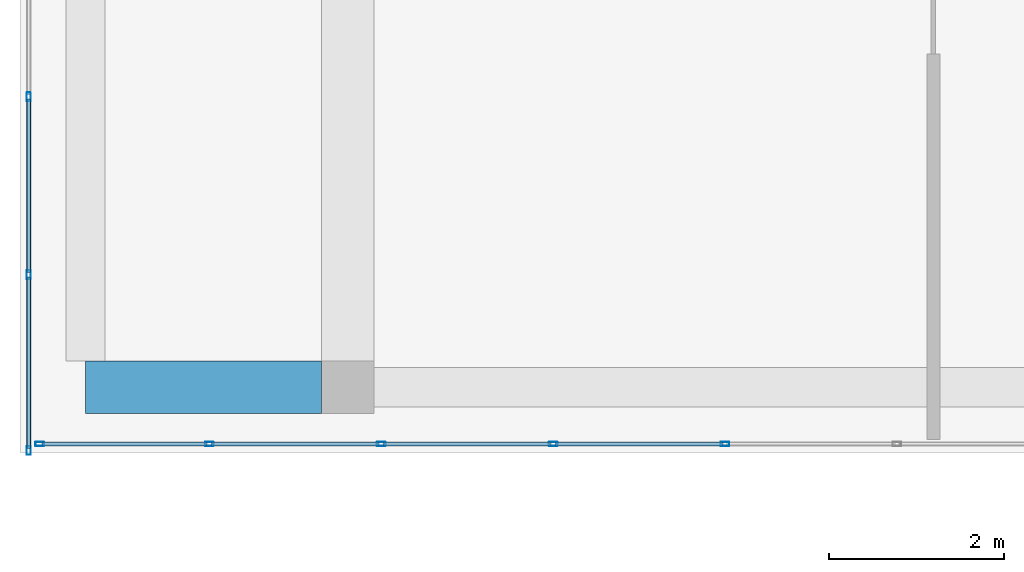
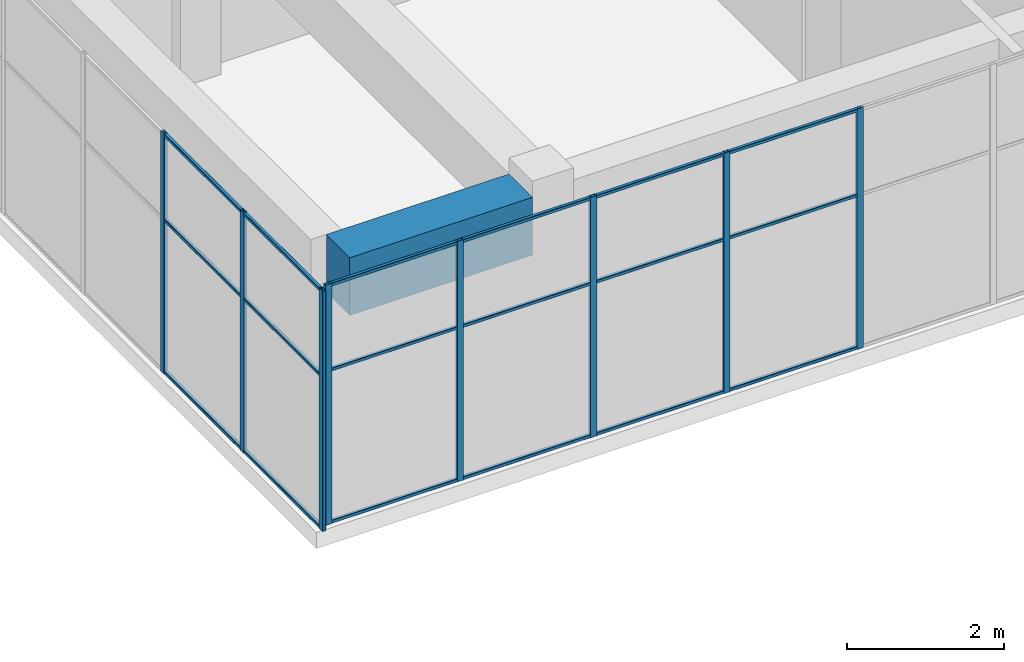
# One storey, part 3 of 35: 26 members, 1 beam, 2 elements without a shape of their own.
"""IFC4 building model written with IfcOpenShell, lengths in metres."""

import ifcopenshell
import ifcopenshell.guid

model = None  # the IFC model being written
_history = None  # IfcOwnerHistory: only IFC2X3 demands one
_inside = {}  # id of a spatial element -> (the spatial element, [elements in it])
_under = {}  # id of a project, library or spatial element -> (it, [spatial elements below it])
_declared = {}  # id of a project -> (the project, [libraries it declares])
_typed = {}  # id of a type object -> (the type object, [elements of that type])
_made_of = {}  # id of a material, layer set ... -> (it, [elements and type objects made of it])


def new_model(schema):
    """Start an empty IFC model of exactly this schema.

    Asked for "IFC4X3", IfcOpenShell would pick the latest addendum, in which some entities
    have other attributes; the version numbers below select the first issue.
    IFC2X3 requires an IfcOwnerHistory on every rooted entity: one is made here for all.
    """
    global model, _history
    if schema == "IFC4X3":
        model = ifcopenshell.file(schema_version=(4, 3, 0, 0))
    else:
        model = ifcopenshell.file(schema=schema)
    _inside.clear()
    _under.clear()
    _declared.clear()
    _typed.clear()
    _made_of.clear()
    _history = None
    if model.schema == "IFC2X3":
        org = make("IfcOrganization", Name="unknown")
        user = make(
            "IfcPersonAndOrganization",
            ThePerson=make("IfcPerson", FamilyName="unknown"),
            TheOrganization=org,
        )
        app = make(
            "IfcApplication",
            ApplicationDeveloper=org,
            Version="unknown",
            ApplicationFullName="unknown",
            ApplicationIdentifier="unknown",
        )
        _history = make(
            "IfcOwnerHistory",
            OwningUser=user,
            OwningApplication=app,
            ChangeAction="ADDED",
            CreationDate=0,
        )
    return model


def make(cls, **values):
    """One entity of the class cls with the attributes given. An attribute that is None is left unset."""
    return model.create_entity(
        cls, **{name: value for name, value in values.items() if value is not None}
    )


def rooted(cls, **values):
    """An entity with a GlobalId (a new one), such as an element, a storey or a relation."""
    return make(cls, GlobalId=ifcopenshell.guid.new(), OwnerHistory=_history, **values)


def si_unit(unit_type, name, prefix=None):
    """IfcSIUnit, for example si_unit("LENGTHUNIT", "METRE", prefix="MILLI")."""
    return make("IfcSIUnit", UnitType=unit_type, Prefix=prefix, Name=name)


def assignment(units):
    """IfcUnitAssignment: the units of a project."""
    return None if units is None else make("IfcUnitAssignment", Units=units)


def point(xyz):
    """IfcCartesianPoint."""
    return None if xyz is None else make("IfcCartesianPoint", Coordinates=xyz)


def direction(xyz):
    """IfcDirection."""
    return None if xyz is None else make("IfcDirection", DirectionRatios=xyz)


def frame(location, z_axis=None, x_axis=None):
    """IfcAxis2Placement3D, a coordinate frame: its origin and axes. An axis left out is left unset."""
    return make(
        "IfcAxis2Placement3D",
        Location=point(location),
        Axis=direction(z_axis),
        RefDirection=direction(x_axis),
    )


def frame_2d(location, x_axis=None):
    """IfcAxis2Placement2D, a coordinate frame in the plane: its origin and x axis."""
    return make(
        "IfcAxis2Placement2D", Location=point(location), RefDirection=direction(x_axis)
    )


def origin():
    """The frame at (0, 0, 0) with its axes left unset."""
    return frame((0.0, 0.0, 0.0))


def origin_2d():
    """The frame at (0, 0) in the plane with its x axis left unset."""
    return frame_2d((0.0, 0.0))


def place(relative_to, where):
    """IfcLocalPlacement: puts the frame where relative to a parent placement (None: the world)."""
    return make(
        "IfcLocalPlacement", PlacementRelTo=relative_to, RelativePlacement=where
    )


def context(
    kind, dimensions, precision=None, world=None, true_north=None, identifier=None
):
    """IfcGeometricRepresentationContext, for example the 3D "Model" context."""
    return make(
        "IfcGeometricRepresentationContext",
        ContextIdentifier=identifier,
        ContextType=kind,
        CoordinateSpaceDimension=dimensions,
        Precision=precision,
        WorldCoordinateSystem=world,
        TrueNorth=true_north,
    )


def subcontext(parent, identifier, kind, view, scale=None):
    """IfcGeometricRepresentationSubContext, for example "Body" below "Model"."""
    return make(
        "IfcGeometricRepresentationSubContext",
        ContextIdentifier=identifier,
        ContextType=kind,
        ParentContext=parent,
        TargetScale=scale,
        TargetView=view,
    )


def project(units=None, contexts=None):
    """IfcProject with its units and contexts."""
    return rooted(
        "IfcProject",
        Name="project",
        RepresentationContexts=contexts,
        UnitsInContext=assignment(units),
    )


def spatial(cls, under=None, at=None, **own):
    """A site, building, storey or space (cls), placed at a placement, below another one or the project."""
    s = rooted(cls, ObjectPlacement=at, **own)
    if under is not None:
        _under.setdefault(under.id(), (under, []))[1].append(s)
    return s


def profile(cls, at=None, kind="AREA", **sizes):
    """A parametric profile (cls). Its sizes go by their IFC names, for example OverallWidth=200.0."""
    return make(cls, ProfileType=kind, Position=at, **sizes)


def rectangle(**sizes):
    """IfcRectangleProfileDef."""
    return profile("IfcRectangleProfileDef", **sizes)


def hollow_rectangle(**sizes):
    """IfcRectangleHollowProfileDef."""
    return profile("IfcRectangleHollowProfileDef", **sizes)


def extrude(swept, where, along, depth):
    """IfcExtrudedAreaSolid: the profile swept, set in the frame where, extruded along a direction by depth."""
    return make(
        "IfcExtrudedAreaSolid",
        SweptArea=swept,
        Position=where,
        ExtrudedDirection=direction(along),
        Depth=depth,
    )


def shape(context_of_items, identifier, shape_type, items):
    """IfcShapeRepresentation: the items that make up one representation, for example the "Body"."""
    return make(
        "IfcShapeRepresentation",
        ContextOfItems=context_of_items,
        RepresentationIdentifier=identifier,
        RepresentationType=shape_type,
        Items=items,
    )


def material(Name=None, Category=None):
    """IfcMaterial."""
    return make("IfcMaterial", Name=Name, Category=Category)


def layer(
    of_material, thickness, ventilated=None, Name=None, Category=None, Priority=None
):
    """IfcMaterialLayer: one layer of a wall or slab, of a material (None: an air gap)."""
    return make(
        "IfcMaterialLayer",
        Material=of_material,
        LayerThickness=thickness,
        IsVentilated=ventilated,
        Name=Name,
        Category=Category,
        Priority=Priority,
    )


def layer_set(layers, Name=None):
    """IfcMaterialLayerSet."""
    return make("IfcMaterialLayerSet", MaterialLayers=layers, LayerSetName=Name)


def material_profile(
    of_material, cross_section, Name=None, Category=None, Priority=None
):
    """IfcMaterialProfile: a cross section and its material."""
    return make(
        "IfcMaterialProfile",
        Name=Name,
        Material=of_material,
        Profile=cross_section,
        Priority=Priority,
        Category=Category,
    )


def profile_set(profiles, Name=None, composite=None):
    """IfcMaterialProfileSet."""
    return make(
        "IfcMaterialProfileSet",
        Name=Name,
        MaterialProfiles=profiles,
        CompositeProfile=composite,
    )


def made_of(thing, what):
    """Note that an element or type object is made of a material, layer set ...; save() writes the relation."""
    if what is not None:
        _made_of.setdefault(what.id(), (what, []))[1].append(thing)
    return thing


def type_object(cls, material=None, **own):
    """A type object (cls), such as IfcWallType, which elements share."""
    return made_of(rooted(cls, **own), material)


def element(
    cls,
    number,
    at=None,
    inside=None,
    cuts=None,
    type_object=None,
    material=None,
    context=None,
    identifier="Body",
    shape_type=None,
    held_by="IfcProductDefinitionShape",
    body=None,
    shapes=None,
    **own,
):
    """One element of the class cls, such as IfcWall. Its Tag is "e" and its number.

    at: its placement. inside: the storey or other place that contains it. cuts: it is an
    opening in that element (IfcRelVoidsElement). A single representation is given by context,
    identifier, shape_type and body (its items); several are given by shapes. held_by: the class
    of the entity that holds the representations. save() writes the other relations.
    """
    e = rooted(cls, Tag="e%d" % number, ObjectPlacement=at, **own)
    if body is not None:
        shapes = [shape(context, identifier, shape_type, body)]
    if shapes is not None:
        e.Representation = make(held_by, Representations=shapes)
    if inside is not None:
        _inside.setdefault(inside.id(), (inside, []))[1].append(e)
    if cuts is not None:
        rooted(
            "IfcRelVoidsElement", RelatingBuildingElement=cuts, RelatedOpeningElement=e
        )
    if type_object is not None:
        _typed.setdefault(type_object.id(), (type_object, []))[1].append(e)
    return made_of(e, material)


def aggregate(whole, parts):
    """IfcRelAggregates: a whole, such as a stair, and the parts it consists of."""
    return rooted("IfcRelAggregates", RelatingObject=whole, RelatedObjects=parts)


def save(model, path):
    """Write the relations noted so far, then the file.

    IfcRelAggregates (storeys below a building ...), IfcRelContainedInSpatialStructure (elements
    in a storey), IfcRelDefinesByType, IfcRelAssociatesMaterial and IfcRelDeclares: one each for
    every whole, place, type object, material and project.
    """
    for whole, parts in _under.values():
        aggregate(whole, parts)
    for where, things in _inside.values():
        rooted(
            "IfcRelContainedInSpatialStructure",
            RelatedElements=things,
            RelatingStructure=where,
        )
    for kind, things in _typed.values():
        rooted("IfcRelDefinesByType", RelatedObjects=things, RelatingType=kind)
    for what, things in _made_of.values():
        rooted("IfcRelAssociatesMaterial", RelatedObjects=things, RelatingMaterial=what)
    for by, libraries in _declared.values():
        rooted("IfcRelDeclares", RelatingContext=by, RelatedDefinitions=libraries)
    model.write(path)


model = new_model("IFC4")

# Units and contexts
model_context = context("Model", 3, precision=1e-05, world=origin(), true_north=direction((0.0, 1.0)))
body_context = subcontext(model_context, "Body", "Model", "MODEL_VIEW")
ifc_project = project(units=[si_unit("LENGTHUNIT", "METRE"), si_unit("AREAUNIT", "SQUARE_METRE"), si_unit("VOLUMEUNIT", "CUBIC_METRE"), si_unit("PLANEANGLEUNIT", "RADIAN"), si_unit("MASSUNIT", "GRAM", prefix="KILO")], contexts=[model_context])

# Site, building, storey
site_placement = place(None, origin())
site = spatial("IfcSite", under=ifc_project, at=site_placement, CompositionType="ELEMENT")
building_placement = place(site_placement, origin())
building = spatial("IfcBuilding", under=site, at=building_placement, Name="Tuart Plaza Theatre", CompositionType="ELEMENT")
storey_placement = place(building_placement, frame((0.0, 0.0, 45.5)))
storey = spatial("IfcBuildingStorey", under=building, at=storey_placement, Name="L11", CompositionType="ELEMENT", Elevation=45.5)

# Beam
ifc_material_1 = material(Name="Concrete N40 (40 MPa)", Category="concrete")
ifc_material_profile_1 = material_profile(ifc_material_1, rectangle(XDim=0.60009765625, YDim=0.89990234375, at=origin_2d()), Name="BEAM 600x900 Concrete N40 (40 MPa)")
ifc_profile_set_1 = profile_set([ifc_material_profile_1], Name="Concrete N40 (40 MPa)")
beam_type = type_object("IfcBeamType", Name="BEAM 600x900 Concrete N40 (40 MPa)", PredefinedType="BEAM", material=ifc_profile_set_1)
beam_placement = place(storey_placement, frame((111.0, 65.0, 3.300048828125), z_axis=(1.0, 0.0, 0.0), x_axis=(0.0, 1.0, 0.0)))
element("IfcBeam", 1, at=beam_placement, inside=storey, type_object=beam_type, Name="RB283", PredefinedType="BEAM", context=body_context, shape_type="SweptSolid", body=[
    extrude(rectangle(XDim=0.60009765625, YDim=0.89990234375, at=origin_2d()), origin(), (0.0, 0.0, 1.0), 2.699951171875),
])

# Curtain wall, members
ifc_material_2 = material(Name="Aluminium and glass", Category="aluminium")
ifc_layer = layer(ifc_material_2, 0.10009765625)
ifc_layer_set = layer_set([ifc_layer], Name="CURTAIN WALL 2000 module")
curtain_wall_type = type_object("IfcCurtainWallType", Name="CURTAIN WALL 2000 module", PredefinedType="NOTDEFINED", material=ifc_layer_set)
curtain_wall_1_placement = place(storey_placement, origin())
curtain_wall_1 = element("IfcCurtainWall", 2, at=curtain_wall_1_placement, inside=storey, type_object=curtain_wall_type, Name="CW106", PredefinedType="NOTDEFINED")
ifc_material_3 = material(Name="Aluminium 6063-T5", Category="aluminium")
ifc_material_profile_2 = material_profile(ifc_material_3, hollow_rectangle(XDim=0.050048828125, YDim=0.10009765625, WallThickness=0.00390625, InnerFilletRadius=0.00390625, OuterFilletRadius=0.008056640625, at=origin_2d()), Name="RHS 100x50x4")
ifc_profile_set_2 = profile_set([ifc_material_profile_2], Name="Aluminium 6063-T5")
member_type_1 = type_object("IfcMemberType", Name="MULLION RHS 100x50x4", PredefinedType="MULLION", material=ifc_profile_set_2)
member_1_placement = place(storey_placement, frame((110.35009765625, 68.321533203125, 0.0), z_axis=(0.0, 0.0, 1.0), x_axis=(1.0, 0.0, 0.0)))
member_1 = element("IfcMember", 3, at=member_1_placement, type_object=member_type_1, Name="CW106 mullion 13", PredefinedType="MULLION", context=body_context, shape_type="SweptSolid", body=[
    extrude(hollow_rectangle(XDim=0.050048828125, YDim=0.10009765625, WallThickness=0.00390625, InnerFilletRadius=0.00390625, OuterFilletRadius=0.008056640625, at=origin_2d()), origin(), (0.0, 0.0, 1.0), 3.75),
])
member_2_placement = place(storey_placement, frame((110.35009765625, 66.28564453125, 0.0), z_axis=(0.0, 0.0, 1.0), x_axis=(1.0, 0.0, 0.0)))
member_2 = element("IfcMember", 4, at=member_2_placement, type_object=member_type_1, Name="CW106 mullion 14", PredefinedType="MULLION", context=body_context, shape_type="SweptSolid", body=[
    extrude(hollow_rectangle(XDim=0.050048828125, YDim=0.10009765625, WallThickness=0.00390625, InnerFilletRadius=0.00390625, OuterFilletRadius=0.008056640625, at=origin_2d()), origin(), (0.0, 0.0, 1.0), 3.75),
])
member_3_placement = place(storey_placement, frame((110.35009765625, 64.27490234375, 0.0), z_axis=(0.0, 0.0, 1.0), x_axis=(1.0, 0.0, 0.0)))
member_3 = element("IfcMember", 5, at=member_3_placement, type_object=member_type_1, Name="CW106 mullion 15", PredefinedType="MULLION", context=body_context, shape_type="SweptSolid", body=[
    extrude(hollow_rectangle(XDim=0.050048828125, YDim=0.10009765625, WallThickness=0.00390625, InnerFilletRadius=0.00390625, OuterFilletRadius=0.008056640625, at=origin_2d()), origin(), (0.0, 0.0, 1.0), 3.75),
])

curtain_wall_2_placement = place(storey_placement, origin())
curtain_wall_2 = element("IfcCurtainWall", 6, at=curtain_wall_2_placement, inside=storey, type_object=curtain_wall_type, Name="CW108", PredefinedType="NOTDEFINED")
member_4_placement = place(storey_placement, frame((110.47509765625, 64.35009765625, 0.0), z_axis=(0.0, 0.0, 1.0), x_axis=(0.0, 1.0, 0.0)))
member_4 = element("IfcMember", 7, at=member_4_placement, type_object=member_type_1, Name="CW108 mullion 1", PredefinedType="MULLION", context=body_context, shape_type="SweptSolid", body=[
    extrude(hollow_rectangle(XDim=0.050048828125, YDim=0.10009765625, WallThickness=0.00390625, InnerFilletRadius=0.00390625, OuterFilletRadius=0.008056640625, at=origin_2d()), origin(), (0.0, 0.0, 1.0), 3.75),
])
member_5_placement = place(storey_placement, frame((112.416748046875, 64.35009765625, 0.0), z_axis=(0.0, 0.0, 1.0), x_axis=(0.0, 1.0, 0.0)))
member_5 = element("IfcMember", 8, at=member_5_placement, type_object=member_type_1, Name="CW108 mullion 2", PredefinedType="MULLION", context=body_context, shape_type="SweptSolid", body=[
    extrude(hollow_rectangle(XDim=0.050048828125, YDim=0.10009765625, WallThickness=0.00390625, InnerFilletRadius=0.00390625, OuterFilletRadius=0.008056640625, at=origin_2d()), origin(), (0.0, 0.0, 1.0), 3.75),
])
member_6_placement = place(storey_placement, frame((114.38330078125, 64.35009765625, 0.0), z_axis=(0.0, 0.0, 1.0), x_axis=(0.0, 1.0, 0.0)))
member_6 = element("IfcMember", 9, at=member_6_placement, type_object=member_type_1, Name="CW108 mullion 3", PredefinedType="MULLION", context=body_context, shape_type="SweptSolid", body=[
    extrude(hollow_rectangle(XDim=0.050048828125, YDim=0.10009765625, WallThickness=0.00390625, InnerFilletRadius=0.00390625, OuterFilletRadius=0.008056640625, at=origin_2d()), origin(), (0.0, 0.0, 1.0), 3.75),
])
member_7_placement = place(storey_placement, frame((116.35009765625, 64.35009765625, 0.0), z_axis=(0.0, 0.0, 1.0), x_axis=(0.0, 1.0, 0.0)))
member_7 = element("IfcMember", 10, at=member_7_placement, type_object=member_type_1, Name="CW108 mullion 4", PredefinedType="MULLION", context=body_context, shape_type="SweptSolid", body=[
    extrude(hollow_rectangle(XDim=0.050048828125, YDim=0.10009765625, WallThickness=0.00390625, InnerFilletRadius=0.00390625, OuterFilletRadius=0.008056640625, at=origin_2d()), origin(), (0.0, 0.0, 1.0), 3.75),
])
member_8_placement = place(storey_placement, frame((118.316650390625, 64.35009765625, 0.0), z_axis=(0.0, 0.0, 1.0), x_axis=(0.0, 1.0, 0.0)))
member_8 = element("IfcMember", 11, at=member_8_placement, type_object=member_type_1, Name="CW108 mullion 5", PredefinedType="MULLION", context=body_context, shape_type="SweptSolid", body=[
    extrude(hollow_rectangle(XDim=0.050048828125, YDim=0.10009765625, WallThickness=0.00390625, InnerFilletRadius=0.00390625, OuterFilletRadius=0.008056640625, at=origin_2d()), origin(), (0.0, 0.0, 1.0), 3.75),
])

# Member
ifc_material_4 = material(Name="Aluminium 6063-T5", Category="aluminium")
ifc_material_profile_3 = material_profile(ifc_material_4, hollow_rectangle(XDim=0.050048828125, YDim=0.050048828125, WallThickness=0.00390625, InnerFilletRadius=0.00390625, OuterFilletRadius=0.008056640625, at=origin_2d()), Name="RHS 50x50x4")
ifc_profile_set_3 = profile_set([ifc_material_profile_3], Name="Aluminium 6063-T5")
member_type_2 = type_object("IfcMemberType", Name="TRANSOM RHS 50x50x4", PredefinedType="USERDEFINED", material=ifc_profile_set_3)
member_9_placement = place(storey_placement, frame((110.35009765625, 68.29638671875, 0.02490234375), z_axis=(0.0, -1.0, 0.0), x_axis=(1.0, 0.0, 0.0)))
member_9 = element("IfcMember", 12, at=member_9_placement, type_object=member_type_2, Name="CW106 transom 13.1", ObjectType="TRANSOM", PredefinedType="USERDEFINED", context=body_context, shape_type="SweptSolid", body=[
    extrude(hollow_rectangle(XDim=0.050048828125, YDim=0.050048828125, WallThickness=0.00390625, InnerFilletRadius=0.00390625, OuterFilletRadius=0.008056640625, at=origin_2d()), origin(), (0.0, 0.0, 1.0), 1.985595703125),
])

member_10_placement = place(storey_placement, frame((110.35009765625, 68.29638671875, 2.39990234375), z_axis=(0.0, -1.0, 0.0), x_axis=(1.0, 0.0, 0.0)))
member_10 = element("IfcMember", 13, at=member_10_placement, type_object=member_type_2, Name="CW106 transom 13.2", ObjectType="TRANSOM", PredefinedType="USERDEFINED", context=body_context, shape_type="SweptSolid", body=[
    extrude(hollow_rectangle(XDim=0.050048828125, YDim=0.050048828125, WallThickness=0.00390625, InnerFilletRadius=0.00390625, OuterFilletRadius=0.008056640625, at=origin_2d()), origin(), (0.0, 0.0, 1.0), 1.985595703125),
])

member_11_placement = place(storey_placement, frame((110.35009765625, 68.29638671875, 3.72509765625), z_axis=(0.0, -1.0, 0.0), x_axis=(1.0, 0.0, 0.0)))
member_11 = element("IfcMember", 14, at=member_11_placement, type_object=member_type_2, Name="CW106 transom 13.3", ObjectType="TRANSOM", PredefinedType="USERDEFINED", context=body_context, shape_type="SweptSolid", body=[
    extrude(hollow_rectangle(XDim=0.050048828125, YDim=0.050048828125, WallThickness=0.00390625, InnerFilletRadius=0.00390625, OuterFilletRadius=0.008056640625, at=origin_2d()), origin(), (0.0, 0.0, 1.0), 1.985595703125),
])

member_12_placement = place(storey_placement, frame((110.35009765625, 66.2607421875, 0.02490234375), z_axis=(0.0, -1.0, 0.0), x_axis=(1.0, 0.0, 0.0)))
member_12 = element("IfcMember", 15, at=member_12_placement, type_object=member_type_2, Name="CW106 transom 14.1", ObjectType="TRANSOM", PredefinedType="USERDEFINED", context=body_context, shape_type="SweptSolid", body=[
    extrude(hollow_rectangle(XDim=0.050048828125, YDim=0.050048828125, WallThickness=0.00390625, InnerFilletRadius=0.00390625, OuterFilletRadius=0.008056640625, at=origin_2d()), origin(), (0.0, 0.0, 1.0), 1.960693359375),
])

member_13_placement = place(storey_placement, frame((110.35009765625, 66.2607421875, 2.39990234375), z_axis=(0.0, -1.0, 0.0), x_axis=(1.0, 0.0, 0.0)))
member_13 = element("IfcMember", 16, at=member_13_placement, type_object=member_type_2, Name="CW106 transom 14.2", ObjectType="TRANSOM", PredefinedType="USERDEFINED", context=body_context, shape_type="SweptSolid", body=[
    extrude(hollow_rectangle(XDim=0.050048828125, YDim=0.050048828125, WallThickness=0.00390625, InnerFilletRadius=0.00390625, OuterFilletRadius=0.008056640625, at=origin_2d()), origin(), (0.0, 0.0, 1.0), 1.960693359375),
])

member_14_placement = place(storey_placement, frame((110.35009765625, 66.2607421875, 3.72509765625), z_axis=(0.0, -1.0, 0.0), x_axis=(1.0, 0.0, 0.0)))
member_14 = element("IfcMember", 17, at=member_14_placement, type_object=member_type_2, Name="CW106 transom 14.3", ObjectType="TRANSOM", PredefinedType="USERDEFINED", context=body_context, shape_type="SweptSolid", body=[
    extrude(hollow_rectangle(XDim=0.050048828125, YDim=0.050048828125, WallThickness=0.00390625, InnerFilletRadius=0.00390625, OuterFilletRadius=0.008056640625, at=origin_2d()), origin(), (0.0, 0.0, 1.0), 1.960693359375),
])

aggregate(curtain_wall_1, [member_1, member_2, member_3, member_9, member_10, member_11, member_12, member_13, member_14])

member_15_placement = place(storey_placement, frame((110.5, 64.35009765625, 0.02490234375), z_axis=(1.0, 0.0, 0.0), x_axis=(0.0, 1.0, 0.0)))
member_15 = element("IfcMember", 18, at=member_15_placement, type_object=member_type_2, Name="CW108 transom 1.1", ObjectType="TRANSOM", PredefinedType="USERDEFINED", context=body_context, shape_type="SweptSolid", body=[
    extrude(hollow_rectangle(XDim=0.050048828125, YDim=0.050048828125, WallThickness=0.00390625, InnerFilletRadius=0.00390625, OuterFilletRadius=0.008056640625, at=origin_2d()), origin(), (0.0, 0.0, 1.0), 1.8916015625),
])

member_16_placement = place(storey_placement, frame((110.5, 64.35009765625, 2.39990234375), z_axis=(1.0, 0.0, 0.0), x_axis=(0.0, 1.0, 0.0)))
member_16 = element("IfcMember", 19, at=member_16_placement, type_object=member_type_2, Name="CW108 transom 1.2", ObjectType="TRANSOM", PredefinedType="USERDEFINED", context=body_context, shape_type="SweptSolid", body=[
    extrude(hollow_rectangle(XDim=0.050048828125, YDim=0.050048828125, WallThickness=0.00390625, InnerFilletRadius=0.00390625, OuterFilletRadius=0.008056640625, at=origin_2d()), origin(), (0.0, 0.0, 1.0), 1.8916015625),
])

member_17_placement = place(storey_placement, frame((110.5, 64.35009765625, 3.72509765625), z_axis=(1.0, 0.0, 0.0), x_axis=(0.0, 1.0, 0.0)))
member_17 = element("IfcMember", 20, at=member_17_placement, type_object=member_type_2, Name="CW108 transom 1.3", ObjectType="TRANSOM", PredefinedType="USERDEFINED", context=body_context, shape_type="SweptSolid", body=[
    extrude(hollow_rectangle(XDim=0.050048828125, YDim=0.050048828125, WallThickness=0.00390625, InnerFilletRadius=0.00390625, OuterFilletRadius=0.008056640625, at=origin_2d()), origin(), (0.0, 0.0, 1.0), 1.8916015625),
])

member_18_placement = place(storey_placement, frame((112.441650390625, 64.35009765625, 0.02490234375), z_axis=(1.0, 0.0, 0.0), x_axis=(0.0, 1.0, 0.0)))
member_18 = element("IfcMember", 21, at=member_18_placement, type_object=member_type_2, Name="CW108 transom 2.1", ObjectType="TRANSOM", PredefinedType="USERDEFINED", context=body_context, shape_type="SweptSolid", body=[
    extrude(hollow_rectangle(XDim=0.050048828125, YDim=0.050048828125, WallThickness=0.00390625, InnerFilletRadius=0.00390625, OuterFilletRadius=0.008056640625, at=origin_2d()), origin(), (0.0, 0.0, 1.0), 1.916748046875),
])

member_19_placement = place(storey_placement, frame((112.441650390625, 64.35009765625, 2.39990234375), z_axis=(1.0, 0.0, 0.0), x_axis=(0.0, 1.0, 0.0)))
member_19 = element("IfcMember", 22, at=member_19_placement, type_object=member_type_2, Name="CW108 transom 2.2", ObjectType="TRANSOM", PredefinedType="USERDEFINED", context=body_context, shape_type="SweptSolid", body=[
    extrude(hollow_rectangle(XDim=0.050048828125, YDim=0.050048828125, WallThickness=0.00390625, InnerFilletRadius=0.00390625, OuterFilletRadius=0.008056640625, at=origin_2d()), origin(), (0.0, 0.0, 1.0), 1.916748046875),
])

member_20_placement = place(storey_placement, frame((112.441650390625, 64.35009765625, 3.72509765625), z_axis=(1.0, 0.0, 0.0), x_axis=(0.0, 1.0, 0.0)))
member_20 = element("IfcMember", 23, at=member_20_placement, type_object=member_type_2, Name="CW108 transom 2.3", ObjectType="TRANSOM", PredefinedType="USERDEFINED", context=body_context, shape_type="SweptSolid", body=[
    extrude(hollow_rectangle(XDim=0.050048828125, YDim=0.050048828125, WallThickness=0.00390625, InnerFilletRadius=0.00390625, OuterFilletRadius=0.008056640625, at=origin_2d()), origin(), (0.0, 0.0, 1.0), 1.916748046875),
])

member_21_placement = place(storey_placement, frame((114.408447265625, 64.35009765625, 0.02490234375), z_axis=(1.0, 0.0, 0.0), x_axis=(0.0, 1.0, 0.0)))
member_21 = element("IfcMember", 24, at=member_21_placement, type_object=member_type_2, Name="CW108 transom 3.1", ObjectType="TRANSOM", PredefinedType="USERDEFINED", context=body_context, shape_type="SweptSolid", body=[
    extrude(hollow_rectangle(XDim=0.050048828125, YDim=0.050048828125, WallThickness=0.00390625, InnerFilletRadius=0.00390625, OuterFilletRadius=0.008056640625, at=origin_2d()), origin(), (0.0, 0.0, 1.0), 1.91650390625),
])

member_22_placement = place(storey_placement, frame((114.408447265625, 64.35009765625, 2.39990234375), z_axis=(1.0, 0.0, 0.0), x_axis=(0.0, 1.0, 0.0)))
member_22 = element("IfcMember", 25, at=member_22_placement, type_object=member_type_2, Name="CW108 transom 3.2", ObjectType="TRANSOM", PredefinedType="USERDEFINED", context=body_context, shape_type="SweptSolid", body=[
    extrude(hollow_rectangle(XDim=0.050048828125, YDim=0.050048828125, WallThickness=0.00390625, InnerFilletRadius=0.00390625, OuterFilletRadius=0.008056640625, at=origin_2d()), origin(), (0.0, 0.0, 1.0), 1.91650390625),
])

member_23_placement = place(storey_placement, frame((114.408447265625, 64.35009765625, 3.72509765625), z_axis=(1.0, 0.0, 0.0), x_axis=(0.0, 1.0, 0.0)))
member_23 = element("IfcMember", 26, at=member_23_placement, type_object=member_type_2, Name="CW108 transom 3.3", ObjectType="TRANSOM", PredefinedType="USERDEFINED", context=body_context, shape_type="SweptSolid", body=[
    extrude(hollow_rectangle(XDim=0.050048828125, YDim=0.050048828125, WallThickness=0.00390625, InnerFilletRadius=0.00390625, OuterFilletRadius=0.008056640625, at=origin_2d()), origin(), (0.0, 0.0, 1.0), 1.91650390625),
])

member_24_placement = place(storey_placement, frame((116.375, 64.35009765625, 0.02490234375), z_axis=(1.0, 0.0, 0.0), x_axis=(0.0, 1.0, 0.0)))
member_24 = element("IfcMember", 27, at=member_24_placement, type_object=member_type_2, Name="CW108 transom 4.1", ObjectType="TRANSOM", PredefinedType="USERDEFINED", context=body_context, shape_type="SweptSolid", body=[
    extrude(hollow_rectangle(XDim=0.050048828125, YDim=0.050048828125, WallThickness=0.00390625, InnerFilletRadius=0.00390625, OuterFilletRadius=0.008056640625, at=origin_2d()), origin(), (0.0, 0.0, 1.0), 1.916748046875),
])

member_25_placement = place(storey_placement, frame((116.375, 64.35009765625, 2.39990234375), z_axis=(1.0, 0.0, 0.0), x_axis=(0.0, 1.0, 0.0)))
member_25 = element("IfcMember", 28, at=member_25_placement, type_object=member_type_2, Name="CW108 transom 4.2", ObjectType="TRANSOM", PredefinedType="USERDEFINED", context=body_context, shape_type="SweptSolid", body=[
    extrude(hollow_rectangle(XDim=0.050048828125, YDim=0.050048828125, WallThickness=0.00390625, InnerFilletRadius=0.00390625, OuterFilletRadius=0.008056640625, at=origin_2d()), origin(), (0.0, 0.0, 1.0), 1.916748046875),
])

member_26_placement = place(storey_placement, frame((116.375, 64.35009765625, 3.72509765625), z_axis=(1.0, 0.0, 0.0), x_axis=(0.0, 1.0, 0.0)))
member_26 = element("IfcMember", 29, at=member_26_placement, type_object=member_type_2, Name="CW108 transom 4.3", ObjectType="TRANSOM", PredefinedType="USERDEFINED", context=body_context, shape_type="SweptSolid", body=[
    extrude(hollow_rectangle(XDim=0.050048828125, YDim=0.050048828125, WallThickness=0.00390625, InnerFilletRadius=0.00390625, OuterFilletRadius=0.008056640625, at=origin_2d()), origin(), (0.0, 0.0, 1.0), 1.916748046875),
])

aggregate(curtain_wall_2, [member_4, member_5, member_6, member_7, member_8, member_15, member_16, member_17, member_18, member_19, member_20, member_21, member_22, member_23, member_24, member_25, member_26])

save(model, "model.ifc")
